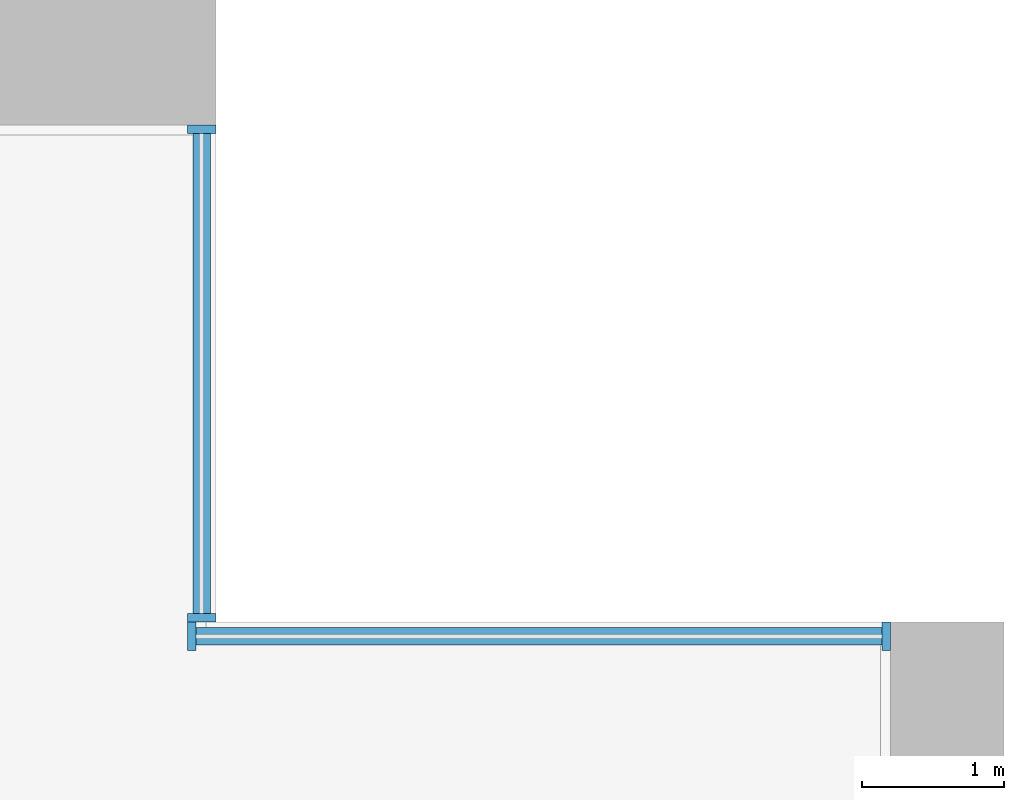
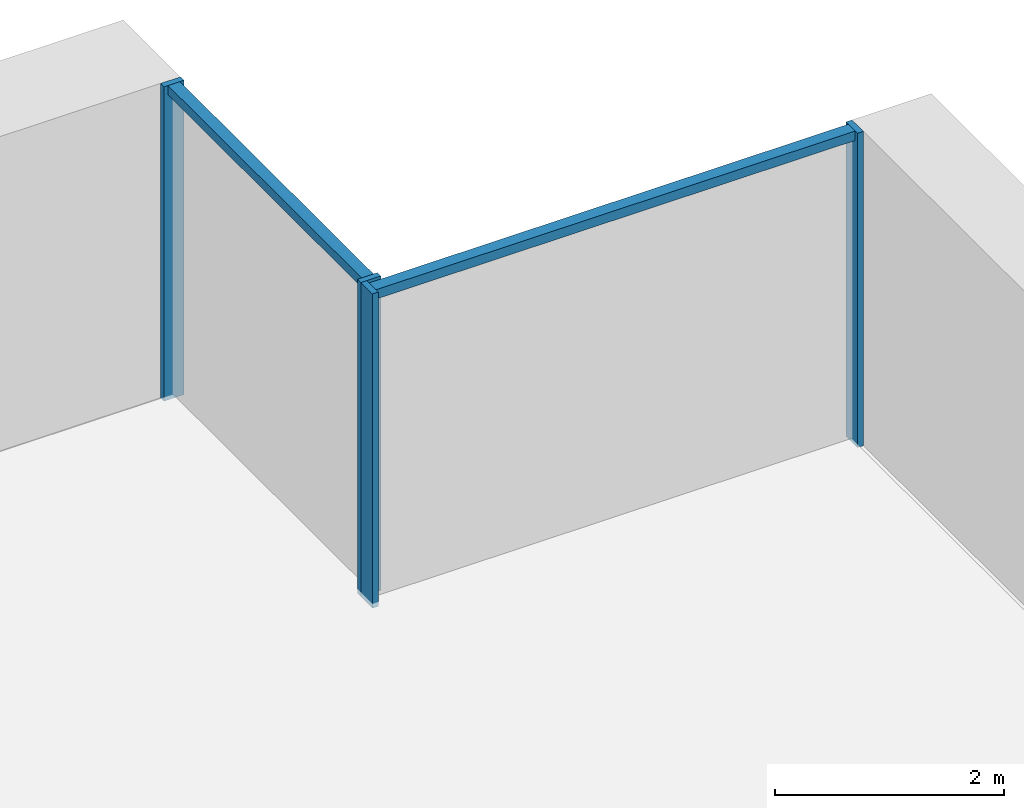
# One storey, part 6 of 18: 6 members, 2 elements without a shape of their own.
"""IFC4 building model written with IfcOpenShell, lengths in metres."""

from ifc_helpers import new_model, si_unit, direction, frame, origin, origin_2d, place, context, subcontext, project, spatial, rectangle, extrude, material, material_profile, profile_set, type_object, element, aggregate, save


model = new_model("IFC4")

# Units and contexts
model_context = context("Model", 3, precision=1e-05, world=origin(), true_north=direction((0.0, 1.0)))
body_context = subcontext(model_context, "Body", "Model", "MODEL_VIEW")
ifc_project = project(units=[si_unit("LENGTHUNIT", "METRE"), si_unit("AREAUNIT", "SQUARE_METRE"), si_unit("VOLUMEUNIT", "CUBIC_METRE"), si_unit("PLANEANGLEUNIT", "RADIAN"), si_unit("MASSUNIT", "GRAM", prefix="KILO")], contexts=[model_context])

# Site, building, storey
site_placement = place(None, origin())
site = spatial("IfcSite", under=ifc_project, at=site_placement, CompositionType="ELEMENT")
building_placement = place(site_placement, origin())
building = spatial("IfcBuilding", under=site, at=building_placement, Name="Calvaro Tower", CompositionType="ELEMENT")
storey_placement = place(building_placement, frame((0.0, 0.0, 52.5)))
storey = spatial("IfcBuildingStorey", under=building, at=storey_placement, Name="L12", CompositionType="ELEMENT", Elevation=52.5)

# Curtain wall, members
ifc_material_1 = material(Name="Anodised aluminium", Category="aluminium")
curtain_wall_type = type_object("IfcCurtainWallType", Name="Office curtain wall, lower zone", PredefinedType="NOTDEFINED", material=ifc_material_1)
curtain_wall_1_placement = place(storey_placement, origin())
curtain_wall_1 = element("IfcCurtainWall", 1, at=curtain_wall_1_placement, inside=storey, type_object=curtain_wall_type, Name="CW1 corner curtain wall", PredefinedType="NOTDEFINED")
ifc_material_2 = material(Name="Anodised aluminium", Category="aluminium")
ifc_material_profile_1 = material_profile(ifc_material_2, rectangle(XDim=0.199951171875, YDim=0.06005859375, at=origin_2d()), Name="Mullion S1 60 x 200")
ifc_profile_set_1 = profile_set([ifc_material_profile_1], Name="Anodised aluminium")
member_type_1 = type_object("IfcMemberType", Name="Mullion S1 60 x 200", PredefinedType="MULLION", material=ifc_profile_set_1)
member_1_placement = place(storey_placement, frame((72.35009765625, 41.530029296875, 0.0), z_axis=(0.0, 0.0, 1.0), x_axis=(-1.0, 0.0, 0.0)))
member_1 = element("IfcMember", 2, at=member_1_placement, type_object=member_type_1, Name="CW1 mullion 1", PredefinedType="MULLION", context=body_context, shape_type="SweptSolid", body=[
    extrude(rectangle(XDim=0.199951171875, YDim=0.06005859375, at=origin_2d()), origin(), (0.0, 0.0, 1.0), 3.35009765625),
])
member_2_placement = place(storey_placement, frame((72.35009765625, 44.969970703125, 0.0), z_axis=(0.0, 0.0, 1.0), x_axis=(-1.0, 0.0, 0.0)))
member_2 = element("IfcMember", 3, at=member_2_placement, type_object=member_type_1, Name="CW1 mullion 2", PredefinedType="MULLION", context=body_context, shape_type="SweptSolid", body=[
    extrude(rectangle(XDim=0.199951171875, YDim=0.06005859375, at=origin_2d()), origin(), (0.0, 0.0, 1.0), 3.35009765625),
])

curtain_wall_2_placement = place(storey_placement, origin())
curtain_wall_2 = element("IfcCurtainWall", 4, at=curtain_wall_2_placement, inside=storey, type_object=curtain_wall_type, Name="CW1 corner curtain wall", PredefinedType="NOTDEFINED")
member_3_placement = place(storey_placement, frame((72.280029296875, 41.39990234375, 0.0), z_axis=(0.0, 0.0, 1.0), x_axis=(0.0, 1.0, 0.0)))
member_3 = element("IfcMember", 5, at=member_3_placement, type_object=member_type_1, Name="CW1 mullion 1", PredefinedType="MULLION", context=body_context, shape_type="SweptSolid", body=[
    extrude(rectangle(XDim=0.199951171875, YDim=0.06005859375, at=origin_2d()), origin(), (0.0, 0.0, 1.0), 3.35009765625),
])
member_4_placement = place(storey_placement, frame((77.169921875, 41.39990234375, 0.0), z_axis=(0.0, 0.0, 1.0), x_axis=(0.0, 1.0, 0.0)))
member_4 = element("IfcMember", 6, at=member_4_placement, type_object=member_type_1, Name="CW1 mullion 2", PredefinedType="MULLION", context=body_context, shape_type="SweptSolid", body=[
    extrude(rectangle(XDim=0.199951171875, YDim=0.06005859375, at=origin_2d()), origin(), (0.0, 0.0, 1.0), 3.35009765625),
])

# Member
ifc_material_3 = material(Name="Anodised aluminium", Category="aluminium")
ifc_material_profile_2 = material_profile(ifc_material_3, rectangle(XDim=0.1201171875, YDim=0.10009765625, at=origin_2d()), Name="Transom S1 100 x 120")
ifc_profile_set_2 = profile_set([ifc_material_profile_2], Name="Anodised aluminium")
member_type_2 = type_object("IfcMemberType", Name="Transom S1 100 x 120", PredefinedType="USERDEFINED", material=ifc_profile_set_2)
member_5_placement = place(storey_placement, frame((72.35009765625, 41.56005859375, 3.300048828125), z_axis=(0.0, 1.0, 0.0), x_axis=(-1.0, 0.0, 0.0)))
member_5 = element("IfcMember", 7, at=member_5_placement, type_object=member_type_2, Name="CW1 transom 1.1", ObjectType="TRANSOM", PredefinedType="USERDEFINED", context=body_context, shape_type="SweptSolid", body=[
    extrude(rectangle(XDim=0.1201171875, YDim=0.10009765625, at=origin_2d()), origin(), (0.0, 0.0, 1.0), 3.3798828125),
])

aggregate(curtain_wall_1, [member_1, member_2, member_5])

member_6_placement = place(storey_placement, frame((72.31005859375, 41.39990234375, 3.300048828125), z_axis=(1.0, 0.0, 0.0), x_axis=(0.0, 1.0, 0.0)))
member_6 = element("IfcMember", 8, at=member_6_placement, type_object=member_type_2, Name="CW1 transom 1.1", ObjectType="TRANSOM", PredefinedType="USERDEFINED", context=body_context, shape_type="SweptSolid", body=[
    extrude(rectangle(XDim=0.1201171875, YDim=0.10009765625, at=origin_2d()), origin(), (0.0, 0.0, 1.0), 4.829833984375),
])

aggregate(curtain_wall_2, [member_3, member_4, member_6])

save(model, "model.ifc")
